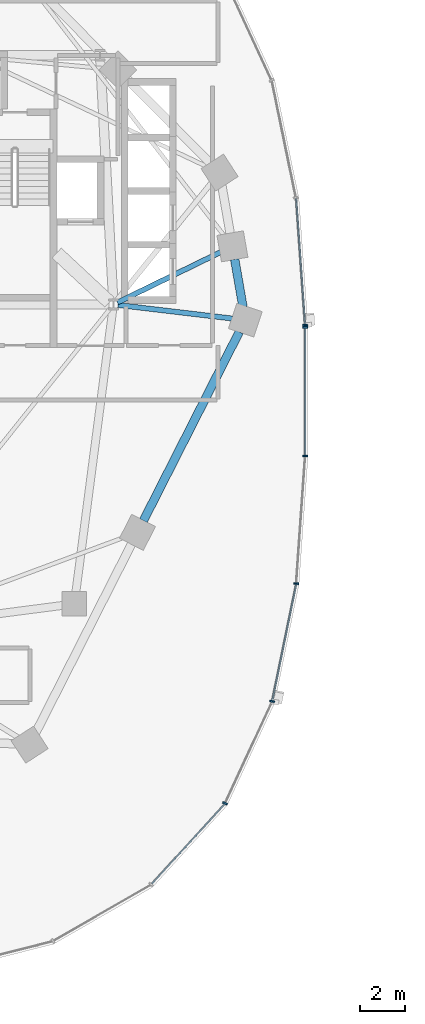
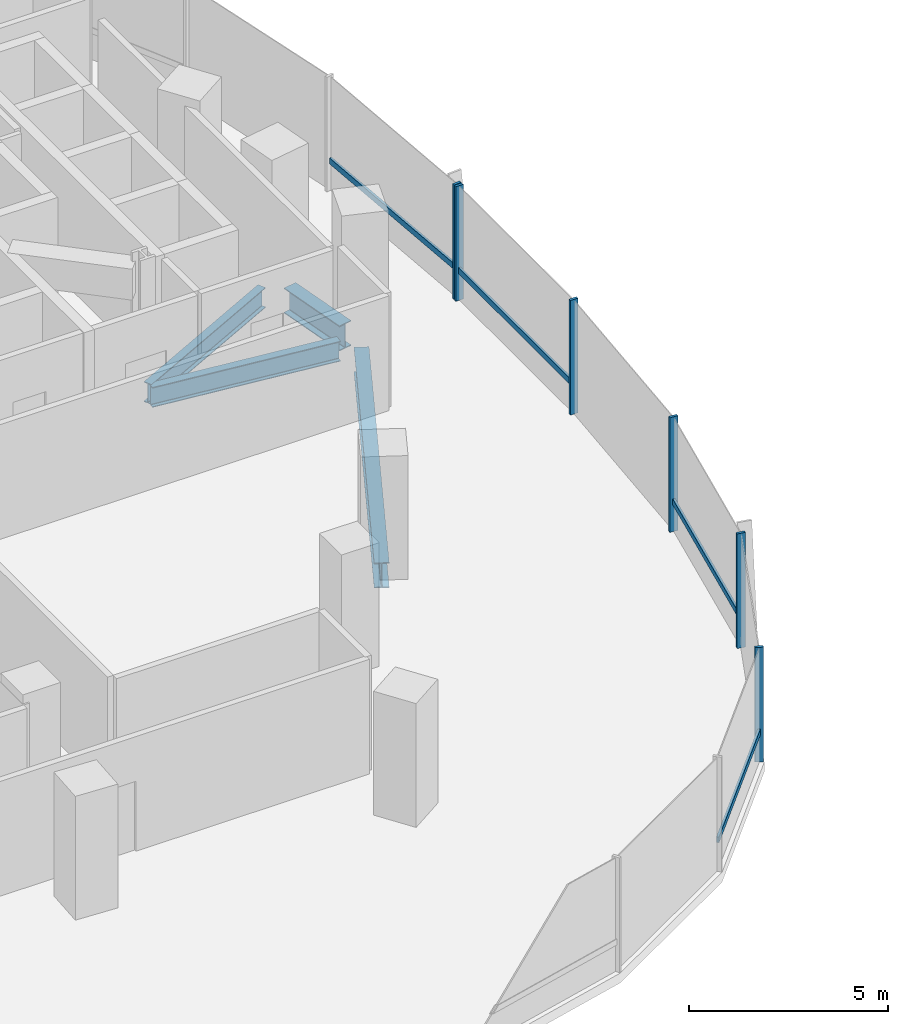
# One storey, part 3 of 21: 10 members, 4 beams, 2 elements without a shape of their own.
"""IFC4 building model written with IfcOpenShell, lengths in metres."""

from ifc_helpers import new_model, si_unit, direction, frame, origin, origin_2d, place, context, subcontext, project, spatial, rectangle, i_section, extrude, material, material_profile, profile_set, type_object, element, aggregate, save


model = new_model("IFC4")

# Units and contexts
model_context = context("Model", 3, precision=1e-05, world=origin(), true_north=direction((0.0, 1.0)))
body_context = subcontext(model_context, "Body", "Model", "MODEL_VIEW")
ifc_project = project(units=[si_unit("LENGTHUNIT", "METRE"), si_unit("AREAUNIT", "SQUARE_METRE"), si_unit("VOLUMEUNIT", "CUBIC_METRE"), si_unit("PLANEANGLEUNIT", "RADIAN"), si_unit("MASSUNIT", "GRAM", prefix="KILO"), si_unit("THERMODYNAMICTEMPERATUREUNIT", "KELVIN"), si_unit("POWERUNIT", "WATT")], contexts=[model_context])

# Site, building, storey
site_placement = place(None, origin())
site = spatial("IfcSite", under=ifc_project, at=site_placement, CompositionType="ELEMENT")
building_placement = place(site_placement, origin())
building = spatial("IfcBuilding", under=site, at=building_placement, Name="Cundina Bronze Exchange", CompositionType="ELEMENT")
storey_placement = place(building_placement, frame((0.0, 0.0, 73.39990234375)))
storey = spatial("IfcBuildingStorey", under=building, at=storey_placement, Name="L18", CompositionType="ELEMENT", Elevation=73.39990234375)

# Beams
ifc_material_1 = material(Name="Steel ASTM A992 Grade 50", Category="steel")
ifc_material_profile_1 = material_profile(ifc_material_1, i_section(OverallWidth=0.22998046875, OverallDepth=0.616943359375, WebThickness=0.01318359375, FlangeThickness=0.022216796875, FilletRadius=0.013916015625, at=origin_2d()), Name="W24X94", Category="steel")
ifc_profile_set_1 = profile_set([ifc_material_profile_1], Name="Steel ASTM A992 Grade 50")
beam_type_1 = type_object("IfcBeamType", Name="BM-FLR-W24B", PredefinedType="BEAM", material=ifc_profile_set_1)
beam_1_placement = place(storey_placement, frame((-21.247314453125, 3.8759765625, -0.6083984375), z_axis=(0.993035236117, -0.117817739878, 0.0), x_axis=(0.117817739878, 0.993035236117, 0.0)))
element("IfcBeam", 1, at=beam_1_placement, inside=storey, type_object=beam_type_1, Name="L18 Leg W Radial Floor Beam 00", PredefinedType="BEAM", context=body_context, shape_type="SweptSolid", body=[
    extrude(i_section(OverallWidth=0.22998046875, OverallDepth=0.616943359375, WebThickness=0.01318359375, FlangeThickness=0.022216796875, FilletRadius=0.013916015625, at=origin_2d()), origin(), (0.0, 0.0, 1.0), 5.1494140625),
])
beam_2_placement = place(storey_placement, frame((-21.2666015625, 3.989501953125, -0.6083984375), z_axis=(0.898610249448, 0.438747785849, 0.0), x_axis=(-0.438747785849, 0.898610249448, 0.0)))
element("IfcBeam", 2, at=beam_2_placement, inside=storey, type_object=beam_type_1, Name="L18 Leg W Radial Floor Beam 01", PredefinedType="BEAM", context=body_context, shape_type="SweptSolid", body=[
    extrude(i_section(OverallWidth=0.22998046875, OverallDepth=0.616943359375, WebThickness=0.01318359375, FlangeThickness=0.022216796875, FilletRadius=0.013916015625, at=origin_2d()), origin(), (0.0, 0.0, 1.0), 5.1337890625),
])
ifc_material_profile_2 = material_profile(ifc_material_1, i_section(OverallWidth=0.381103515625, OverallDepth=0.77294921875, WebThickness=0.0166015625, FlangeThickness=0.027099609375, FilletRadius=0.01904296875, at=origin_2d()), Name="W30X173", Category="steel")
ifc_profile_set_2 = profile_set([ifc_material_profile_2], Name="Steel ASTM A992 Grade 50")
beam_type_2 = type_object("IfcBeamType", Name="BM-RING-W30", PredefinedType="USERDEFINED", material=ifc_profile_set_2)
beam_3_placement = place(storey_placement, frame((-15.65087890625, 3.779296875, -0.6865234375), z_axis=(-0.171734584051, 0.985143254883, 0.0), x_axis=(-0.985143254883, -0.171734584051, 0.0)))
element("IfcBeam", 3, at=beam_3_placement, inside=storey, type_object=beam_type_2, Name="L18 W Perimeter Ring Girder 00", ObjectType="GIRDER", PredefinedType="USERDEFINED", context=body_context, shape_type="SweptSolid", body=[
    extrude(i_section(OverallWidth=0.381103515625, OverallDepth=0.77294921875, WebThickness=0.0166015625, FlangeThickness=0.027099609375, FilletRadius=0.01904296875, at=origin_2d()), origin(), (0.0, 0.0, 1.0), 2.173583984375),
])
beam_4_placement = place(storey_placement, frame((-20.108642578125, -5.775634765625, -0.6865234375), z_axis=(0.452819633606, 0.891602141889, 0.0), x_axis=(-0.891602141889, 0.452819633606, 0.0)))
element("IfcBeam", 4, at=beam_4_placement, inside=storey, type_object=beam_type_2, Name="L18 W Perimeter Ring Girder 13", ObjectType="GIRDER", PredefinedType="USERDEFINED", context=body_context, shape_type="SweptSolid", body=[
    extrude(i_section(OverallWidth=0.381103515625, OverallDepth=0.77294921875, WebThickness=0.0166015625, FlangeThickness=0.027099609375, FilletRadius=0.01904296875, at=origin_2d()), origin(), (0.0, 0.0, 1.0), 9.47900390625),
])

# Curtain wall, member
ifc_material_2 = material(Name="Anodised Bronze Aluminium 6063-T6", Category="aluminium")
curtain_wall_type = type_object("IfcCurtainWallType", Name="CWS-TRD-LOW", PredefinedType="NOTDEFINED", material=ifc_material_2)
curtain_wall_1_placement = place(storey_placement, origin())
curtain_wall_1 = element("IfcCurtainWall", 5, at=curtain_wall_1_placement, inside=storey, type_object=curtain_wall_type, Name="L18 CW-02 Curtain Wall Run CWR-L18-W1", PredefinedType="NOTDEFINED")
ifc_material_profile_3 = material_profile(ifc_material_2, rectangle(XDim=0.074951171875, YDim=0.219970703125, at=origin_2d()), Name="AL75X220", Category="aluminium")
ifc_profile_set_3 = profile_set([ifc_material_profile_3], Name="Anodised Bronze Aluminium 6063-T6")
member_type_1 = type_object("IfcMemberType", Name="CWM-MUL-220", PredefinedType="MULLION", material=ifc_profile_set_3)
member_1_placement = place(storey_placement, frame((-12.87548828125, 2.976318359375, 0.0), z_axis=(0.0, 0.0, 1.0), x_axis=(-0.070278787473, 0.997527389113, 0.0)))
member_1 = element("IfcMember", 6, at=member_1_placement, type_object=member_type_1, Name="CW-02 Mullion 1", PredefinedType="MULLION", context=body_context, shape_type="SweptSolid", body=[
    extrude(rectangle(XDim=0.074951171875, YDim=0.219970703125, at=origin_2d()), origin(), (0.0, 0.0, 1.0), 3.52001953125),
])

# Curtain wall, members
curtain_wall_2_placement = place(storey_placement, origin())
curtain_wall_2 = element("IfcCurtainWall", 7, at=curtain_wall_2_placement, inside=storey, type_object=curtain_wall_type, Name="L18 CW-02 Curtain Wall Run CWR-L18-W4", PredefinedType="NOTDEFINED")
member_2_placement = place(storey_placement, frame((-16.455810546875, -18.423583984375, 0.0), z_axis=(0.0, 0.0, 1.0), x_axis=(0.42087749791, 0.907117485088, 0.0)))
member_2 = element("IfcMember", 8, at=member_2_placement, type_object=member_type_1, Name="CW-02 Mullion 4", PredefinedType="MULLION", context=body_context, shape_type="SweptSolid", body=[
    extrude(rectangle(XDim=0.074951171875, YDim=0.219970703125, at=origin_2d()), origin(), (0.0, 0.0, 1.0), 3.52001953125),
])
member_3_placement = place(storey_placement, frame((-14.348876953125, -13.861328125, 0.0), z_axis=(0.0, 0.0, 1.0), x_axis=(0.201419845156, 0.979505000486, 0.0)))
member_3 = element("IfcMember", 9, at=member_3_placement, type_object=member_type_1, Name="CW-02 Mullion 5", PredefinedType="MULLION", context=body_context, shape_type="SweptSolid", body=[
    extrude(rectangle(XDim=0.074951171875, YDim=0.219970703125, at=origin_2d()), origin(), (0.0, 0.0, 1.0), 3.52001953125),
])
member_4_placement = place(storey_placement, frame((-13.27099609375, -8.591552734375, 0.0), z_axis=(0.0, 0.0, 1.0), x_axis=(0.070278787473, 0.997527389113, 0.0)))
member_4 = element("IfcMember", 10, at=member_4_placement, type_object=member_type_1, Name="CW-02 Mullion 6", PredefinedType="MULLION", context=body_context, shape_type="SweptSolid", body=[
    extrude(rectangle(XDim=0.074951171875, YDim=0.219970703125, at=origin_2d()), origin(), (0.0, 0.0, 1.0), 3.52001953125),
])
member_5_placement = place(storey_placement, frame((-12.8720703125, -2.880615234375, 0.0), z_axis=(0.0, 0.0, 1.0), x_axis=(0.0, 1.0, 0.0)))
member_5 = element("IfcMember", 11, at=member_5_placement, type_object=member_type_1, Name="CW-02 Mullion 7", PredefinedType="MULLION", context=body_context, shape_type="SweptSolid", body=[
    extrude(rectangle(XDim=0.074951171875, YDim=0.219970703125, at=origin_2d()), origin(), (0.0, 0.0, 1.0), 3.52001953125),
])
member_6_placement = place(storey_placement, frame((-12.8720703125, 2.880615234375, 0.0), z_axis=(0.0, 0.0, 1.0), x_axis=(0.0, 1.0, 0.0)))
member_6 = element("IfcMember", 12, at=member_6_placement, type_object=member_type_1, Name="CW-02 End Mullion", PredefinedType="MULLION", context=body_context, shape_type="SweptSolid", body=[
    extrude(rectangle(XDim=0.074951171875, YDim=0.219970703125, at=origin_2d()), origin(), (0.0, 0.0, 1.0), 3.52001953125),
])

# Member
ifc_material_profile_4 = material_profile(ifc_material_2, rectangle(XDim=0.070068359375, YDim=0.179931640625, at=origin_2d()), Name="AL70X180", Category="aluminium")
ifc_profile_set_4 = profile_set([ifc_material_profile_4], Name="Anodised Bronze Aluminium 6063-T6")
member_type_2 = type_object("IfcMemberType", Name="CWM-TRN-180", PredefinedType="USERDEFINED", material=ifc_profile_set_4)
member_7_placement = place(storey_placement, frame((-12.87841796875, 3.017333984375, 0.920166015625), z_axis=(-0.070260714471, 0.997528662246, 0.0), x_axis=(-0.997528662246, -0.070260714471, 0.0)))
member_7 = element("IfcMember", 13, at=member_7_placement, type_object=member_type_2, Name="CW-02 Spandrel Transom 1", ObjectType="TRANSOM", PredefinedType="USERDEFINED", context=body_context, shape_type="SweptSolid", body=[
    extrude(rectangle(XDim=0.070068359375, YDim=0.179931640625, at=origin_2d()), origin(), (0.0, 0.0, 1.0), 5.629150390625),
])

aggregate(curtain_wall_1, [member_1, member_7])

member_8_placement = place(storey_placement, frame((-19.73291015625, -22.027099609375, 0.920166015625), z_axis=(0.674302794847, 0.738454968743, 0.0), x_axis=(-0.738454968743, 0.674302794847, 0.0)))
member_8 = element("IfcMember", 14, at=member_8_placement, type_object=member_type_2, Name="CW-02 Spandrel Transom 3", ObjectType="TRANSOM", PredefinedType="USERDEFINED", context=body_context, shape_type="SweptSolid", body=[
    extrude(rectangle(XDim=0.070068359375, YDim=0.179931640625, at=origin_2d()), origin(), (0.0, 0.0, 1.0), 4.848388671875),
])

member_9_placement = place(storey_placement, frame((-14.340576171875, -13.821044921875, 0.920166015625), z_axis=(0.201427712708, 0.979503382615, 0.0), x_axis=(-0.979503382615, 0.201427712708, 0.0)))
member_9 = element("IfcMember", 15, at=member_9_placement, type_object=member_type_2, Name="CW-02 Spandrel Transom 5", ObjectType="TRANSOM", PredefinedType="USERDEFINED", context=body_context, shape_type="SweptSolid", body=[
    extrude(rectangle(XDim=0.070068359375, YDim=0.179931640625, at=origin_2d()), origin(), (0.0, 0.0, 1.0), 5.291748046875),
])

member_10_placement = place(storey_placement, frame((-12.8720703125, -2.839111328125, 0.920166015625), z_axis=(0.0, 1.0, 0.0), x_axis=(-1.0, 0.0, 0.0)))
member_10 = element("IfcMember", 16, at=member_10_placement, type_object=member_type_2, Name="CW-02 Spandrel Transom 7", ObjectType="TRANSOM", PredefinedType="USERDEFINED", context=body_context, shape_type="SweptSolid", body=[
    extrude(rectangle(XDim=0.070068359375, YDim=0.179931640625, at=origin_2d()), origin(), (0.0, 0.0, 1.0), 5.67822265625),
])

aggregate(curtain_wall_2, [member_8, member_2, member_3, member_9, member_4, member_5, member_6, member_10])

save(model, "model.ifc")
